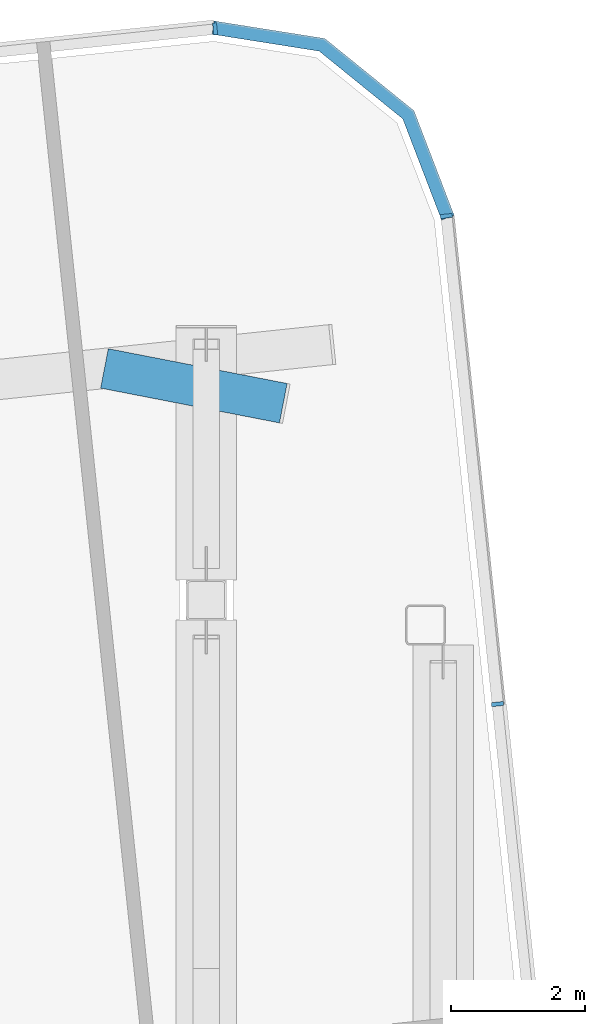
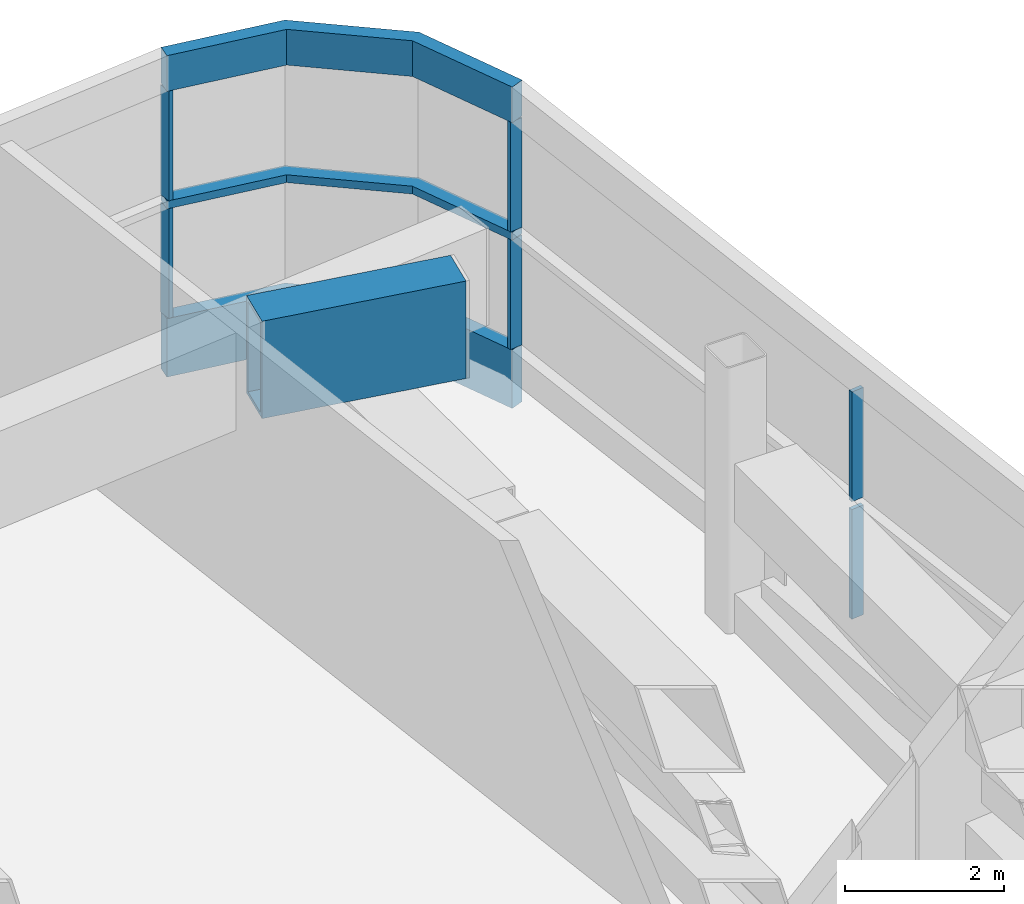
# One storey, part 14 of 33: 9 members, 1 beam, 3 elements without a shape of their own.
"""IFC4 building model written with IfcOpenShell, lengths in metres."""

from ifc_helpers import new_model, si_unit, direction, frame, origin, origin_2d, place, context, subcontext, project, spatial, polyline, rectangle, hollow_rectangle, outline, extrude, material, layer, layer_set, material_profile, profile_set, type_object, element, aggregate, save


model = new_model("IFC4")

# Units and contexts
model_context = context("Model", 3, precision=1e-05, world=origin(), true_north=direction((0.0, 1.0)))
body_context = subcontext(model_context, "Body", "Model", "MODEL_VIEW")
ifc_project = project(units=[si_unit("LENGTHUNIT", "METRE"), si_unit("AREAUNIT", "SQUARE_METRE"), si_unit("VOLUMEUNIT", "CUBIC_METRE"), si_unit("PLANEANGLEUNIT", "RADIAN"), si_unit("MASSUNIT", "GRAM", prefix="KILO")], contexts=[model_context])

# Site, building, storey
site_placement = place(None, origin())
site = spatial("IfcSite", under=ifc_project, at=site_placement, CompositionType="ELEMENT")
building_placement = place(site_placement, origin())
building = spatial("IfcBuilding", under=site, at=building_placement, Name="Hakoniwa Tower and Hamabe Station Hall", CompositionType="ELEMENT")
storey_placement = place(building_placement, frame((0.0, 0.0, 228.199951171875)))
storey = spatial("IfcBuildingStorey", under=building, at=storey_placement, Name="L65", CompositionType="ELEMENT", Elevation=228.199951171875)

# Curtain wall, members
ifc_material_1 = material(Name="Dark low-e laminated glass", Category="glass")
ifc_layer = layer(ifc_material_1, 0.199951171875)
ifc_layer_set = layer_set([ifc_layer], Name="CW-6 PLANT LOUVRE")
curtain_wall_type = type_object("IfcCurtainWallType", Name="CW-6 PLANT LOUVRE", PredefinedType="NOTDEFINED", material=ifc_layer_set)
curtain_wall_1_placement = place(storey_placement, origin())
curtain_wall_1 = element("IfcCurtainWall", 1, at=curtain_wall_1_placement, inside=storey, type_object=curtain_wall_type, Name="CW-6 curtain wall", PredefinedType="NOTDEFINED")
ifc_material_2 = material(Name="Aluminium 6063-T5 black anodised", Category="aluminium")
ifc_material_profile_1 = material_profile(ifc_material_2, rectangle(XDim=0.199951171875, YDim=0.550048828125, at=origin_2d()), Name="CW HEAD BAND 550X200")
ifc_profile_set_1 = profile_set([ifc_material_profile_1], Name="Aluminium 6063-T5 black anodised")
member_type_1 = type_object("IfcMemberType", Name="CW HEAD BAND 550X200", PredefinedType="USERDEFINED", material=ifc_profile_set_1)
member_1_placement = place(storey_placement, frame((0.0, 0.0, 3.85009765625)))
member_1 = element("IfcMember", 2, at=member_1_placement, type_object=member_type_1, Name="CW-6 transom", ObjectType="TRANSOM", PredefinedType="USERDEFINED", context=body_context, shape_type="SweptSolid", body=[
    extrude(outline(polyline([(37.302734375, 24.8515625), (36.703125, 26.4130859375), (35.371337890625, 27.49169921875), (33.71923828125, 27.75341796875), (33.68798828125, 27.5556640625), (35.287109375, 27.302490234375), (36.53564453125, 26.29150390625), (37.115966796875, 24.77978515625), (37.302734375, 24.8515625)])), origin(), (0.0, 0.0, 1.0), 0.550048828125),
])
ifc_material_3 = material(Name="Aluminium 6063-T5 black anodised", Category="aluminium")
ifc_material_profile_2 = material_profile(ifc_material_3, rectangle(XDim=0.199951171875, YDim=0.1201171875, at=origin_2d()), Name="CW MID TRANSOM 120X200")
ifc_profile_set_2 = profile_set([ifc_material_profile_2], Name="Aluminium 6063-T5 black anodised")
member_type_2 = type_object("IfcMemberType", Name="CW MID TRANSOM 120X200", PredefinedType="USERDEFINED", material=ifc_profile_set_2)
member_2_placement = place(storey_placement, frame((0.0, 0.0, 2.0400390625)))
member_2 = element("IfcMember", 3, at=member_2_placement, type_object=member_type_2, Name="CW-6 transom", ObjectType="TRANSOM", PredefinedType="USERDEFINED", context=body_context, shape_type="SweptSolid", body=[
    extrude(outline(polyline([(37.302734375, 24.8515625), (36.703125, 26.4130859375), (35.371337890625, 27.49169921875), (33.71923828125, 27.75341796875), (33.68798828125, 27.5556640625), (35.287109375, 27.302490234375), (36.53564453125, 26.29150390625), (37.115966796875, 24.77978515625), (37.302734375, 24.8515625)])), origin(), (0.0, 0.0, 1.0), 0.1201171875),
])
ifc_material_4 = material(Name="Aluminium 6063-T5 black anodised", Category="aluminium")
ifc_material_profile_3 = material_profile(ifc_material_4, rectangle(XDim=0.199951171875, YDim=0.89990234375, at=origin_2d()), Name="CW SLAB-EDGE BAND 900X200")
ifc_profile_set_3 = profile_set([ifc_material_profile_3], Name="Aluminium 6063-T5 black anodised")
member_type_3 = type_object("IfcMemberType", Name="CW SLAB-EDGE BAND 900X200", PredefinedType="USERDEFINED", material=ifc_profile_set_3)
member_3_placement = place(storey_placement, frame((0.0, 0.0, -0.550048828125)))
member_3 = element("IfcMember", 4, at=member_3_placement, type_object=member_type_3, Name="CW-6 transom", ObjectType="TRANSOM", PredefinedType="USERDEFINED", context=body_context, shape_type="SweptSolid", body=[
    extrude(outline(polyline([(37.302734375, 24.8515625), (36.703125, 26.4130859375), (35.371337890625, 27.49169921875), (33.71923828125, 27.75341796875), (33.68798828125, 27.5556640625), (35.287109375, 27.302490234375), (36.53564453125, 26.29150390625), (37.115966796875, 24.77978515625), (37.302734375, 24.8515625)])), origin(), (0.0, 0.0, 1.0), 0.900146484375),
])
aggregate(curtain_wall_1, [member_3, member_2, member_1])

curtain_wall_2_placement = place(storey_placement, origin())
curtain_wall_2 = element("IfcCurtainWall", 5, at=curtain_wall_2_placement, inside=storey, type_object=curtain_wall_type, Name="CW-6 curtain wall", PredefinedType="NOTDEFINED")
ifc_material_5 = material(Name="Aluminium 6063-T5 black anodised", Category="aluminium")
ifc_material_profile_4 = material_profile(ifc_material_5, rectangle(XDim=0.06005859375, YDim=0.179931640625, at=origin_2d()), Name="CW-1 MULLION 60X180")
ifc_profile_set_4 = profile_set([ifc_material_profile_4], Name="Aluminium 6063-T5 black anodised")
member_type_4 = type_object("IfcMemberType", Name="CW-1 MULLION 60X180", PredefinedType="MULLION", material=ifc_profile_set_4)
member_4_placement = place(storey_placement, frame((37.95166015625, 17.54736328125, 0.35009765625), z_axis=(0.0, 0.0, 1.0), x_axis=(-0.104528461376, 0.994521895567, 0.0)))
member_4 = element("IfcMember", 6, at=member_4_placement, type_object=member_type_4, Name="CW-6 mullion", PredefinedType="MULLION", context=body_context, shape_type="SweptSolid", body=[
    extrude(rectangle(XDim=0.06005859375, YDim=0.179931640625, at=origin_2d()), origin(), (0.0, 0.0, 1.0), 1.68994140625),
])
member_5_placement = place(storey_placement, frame((37.95166015625, 17.54736328125, 2.16015625), z_axis=(0.0, 0.0, 1.0), x_axis=(-0.104528461376, 0.994521895567, 0.0)))
member_5 = element("IfcMember", 7, at=member_5_placement, type_object=member_type_4, Name="CW-6 mullion", PredefinedType="MULLION", context=body_context, shape_type="SweptSolid", body=[
    extrude(rectangle(XDim=0.06005859375, YDim=0.179931640625, at=origin_2d()), origin(), (0.0, 0.0, 1.0), 1.68994140625),
])
member_6_placement = place(storey_placement, frame((37.185302734375, 24.839111328125, 0.35009765625), z_axis=(0.0, 0.0, 1.0), x_axis=(-0.104528461376, 0.994521895567, 0.0)))
member_6 = element("IfcMember", 8, at=member_6_placement, type_object=member_type_4, Name="CW-6 mullion", PredefinedType="MULLION", context=body_context, shape_type="SweptSolid", body=[
    extrude(rectangle(XDim=0.06005859375, YDim=0.179931640625, at=origin_2d()), origin(), (0.0, 0.0, 1.0), 1.68994140625),
])
member_7_placement = place(storey_placement, frame((37.185302734375, 24.839111328125, 2.16015625), z_axis=(0.0, 0.0, 1.0), x_axis=(-0.104528461376, 0.994521895567, 0.0)))
member_7 = element("IfcMember", 9, at=member_7_placement, type_object=member_type_4, Name="CW-6 mullion", PredefinedType="MULLION", context=body_context, shape_type="SweptSolid", body=[
    extrude(rectangle(XDim=0.06005859375, YDim=0.179931640625, at=origin_2d()), origin(), (0.0, 0.0, 1.0), 1.68994140625),
])
aggregate(curtain_wall_2, [member_4, member_5, member_6, member_7])

curtain_wall_3_placement = place(storey_placement, origin())
curtain_wall_3 = element("IfcCurtainWall", 10, at=curtain_wall_3_placement, inside=storey, type_object=curtain_wall_type, Name="CW-6 curtain wall", PredefinedType="NOTDEFINED")
member_8_placement = place(storey_placement, frame((33.731689453125, 27.635986328125, 0.35009765625), z_axis=(0.0, 0.0, 1.0), x_axis=(-0.994521895328, -0.10452846365, 0.0)))
member_8 = element("IfcMember", 11, at=member_8_placement, type_object=member_type_4, Name="CW-6 mullion", PredefinedType="MULLION", context=body_context, shape_type="SweptSolid", body=[
    extrude(rectangle(XDim=0.06005859375, YDim=0.179931640625, at=origin_2d()), origin(), (0.0, 0.0, 1.0), 1.68994140625),
])
member_9_placement = place(storey_placement, frame((33.731689453125, 27.635986328125, 2.16015625), z_axis=(0.0, 0.0, 1.0), x_axis=(-0.994521895328, -0.10452846365, 0.0)))
member_9 = element("IfcMember", 12, at=member_9_placement, type_object=member_type_4, Name="CW-6 mullion", PredefinedType="MULLION", context=body_context, shape_type="SweptSolid", body=[
    extrude(rectangle(XDim=0.06005859375, YDim=0.179931640625, at=origin_2d()), origin(), (0.0, 0.0, 1.0), 1.68994140625),
])
aggregate(curtain_wall_3, [member_8, member_9])

# Beam
ifc_material_6 = material(Name="Steel SN490C", Category="steel")
ifc_material_profile_5 = material_profile(ifc_material_6, hollow_rectangle(XDim=0.60009765625, YDim=1.5, WallThickness=0.054931640625, at=origin_2d()), Name="BX-1500x600x55")
ifc_profile_set_5 = profile_set([ifc_material_profile_5], Name="Steel SN490C")
beam_type = type_object("IfcBeamType", Name="TRANSFER GIRDER BX-1500x600x55", PredefinedType="BEAM", material=ifc_profile_set_5)
beam_placement = place(storey_placement, frame((32.07861328125, 22.5625, 3.35009765625), z_axis=(0.981621923296, -0.19083605452, 0.0), x_axis=(0.19083605452, 0.981621923296, 0.0)))
element("IfcBeam", 13, at=beam_placement, inside=storey, type_object=beam_type, Name="Truss L65-XG4", PredefinedType="BEAM", context=body_context, shape_type="SweptSolid", body=[
    extrude(hollow_rectangle(XDim=0.60009765625, YDim=1.5, WallThickness=0.054931640625, at=origin_2d()), origin(), (0.0, 0.0, 1.0), 2.722412109375),
])

save(model, "model.ifc")
